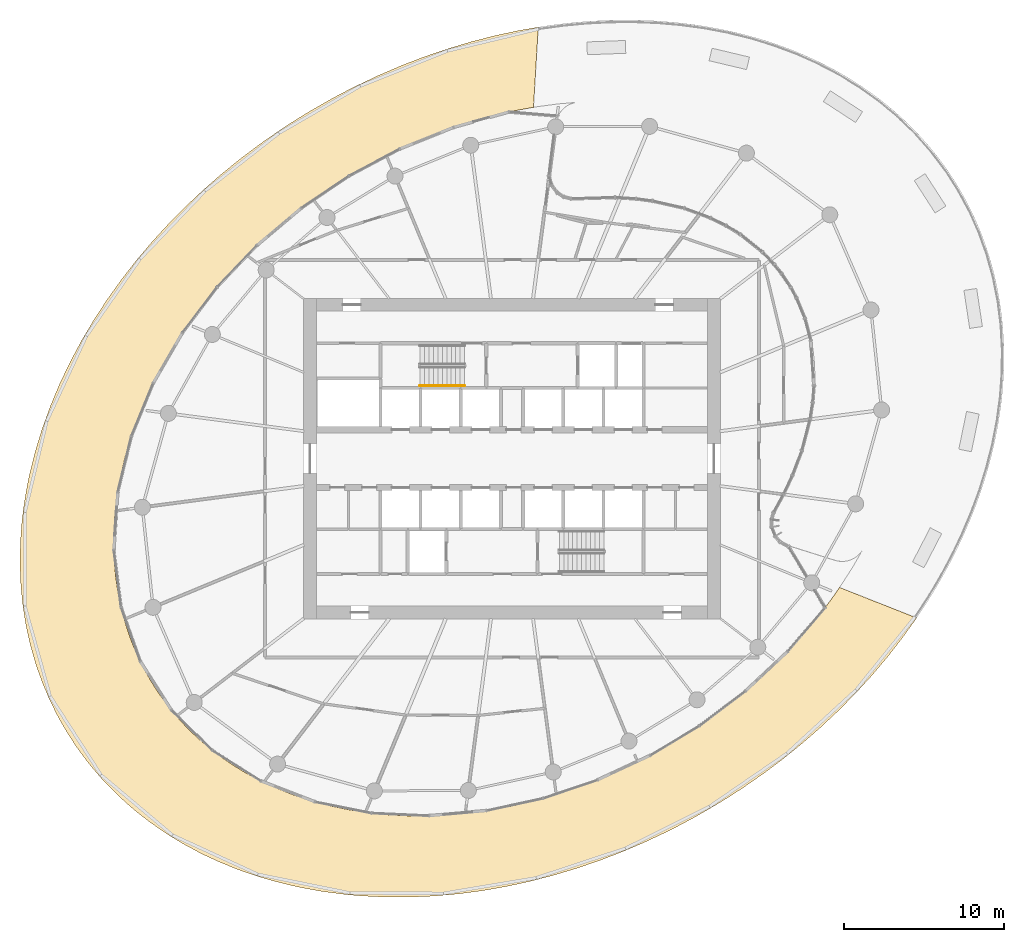
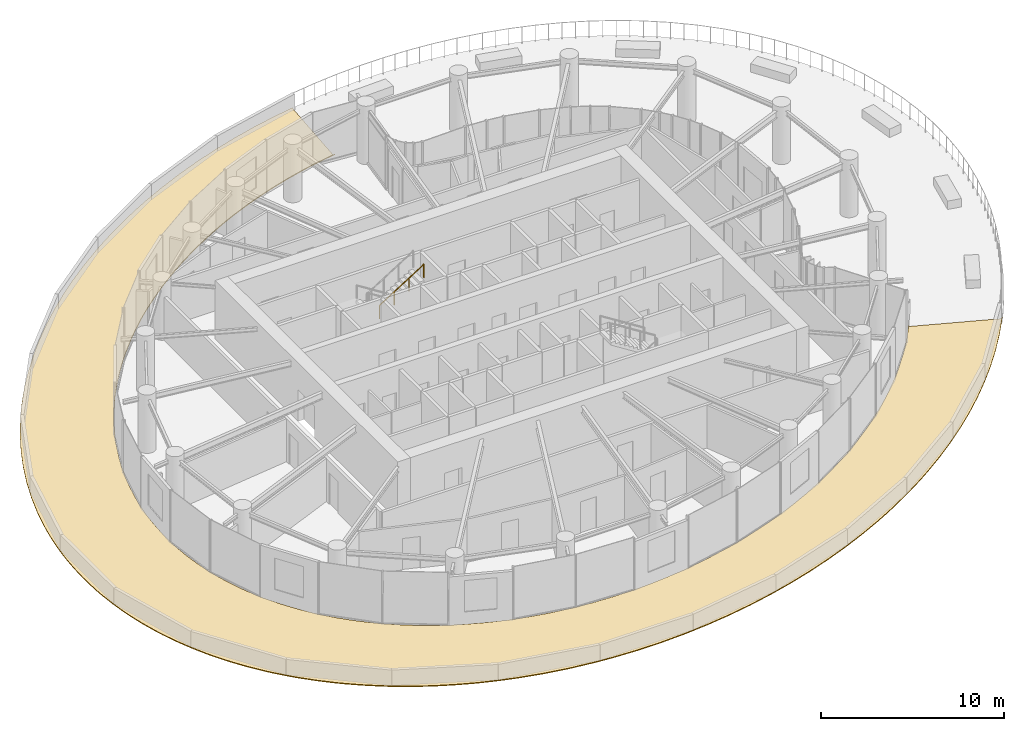
# One storey, part 18 of 21: 1 covering, 1 railing.
"""IFC4 building model written with IfcOpenShell, lengths in metres."""

from ifc_helpers import new_model, si_unit, direction, frame, origin, origin_2d, place, context, subcontext, project, spatial, line, indexed_curve, circle, outline, extrude, material, layer, layer_set, type_object, element, save


model = new_model("IFC4")

# Units and contexts
model_context = context("Model", 3, precision=1e-05, world=origin(), true_north=direction((0.0, 1.0)))
body_context = subcontext(model_context, "Body", "Model", "MODEL_VIEW")
ifc_project = project(units=[si_unit("LENGTHUNIT", "METRE"), si_unit("AREAUNIT", "SQUARE_METRE"), si_unit("VOLUMEUNIT", "CUBIC_METRE"), si_unit("PLANEANGLEUNIT", "RADIAN"), si_unit("MASSUNIT", "GRAM", prefix="KILO")], contexts=[model_context])

# Site, building, storey
site_placement = place(None, origin())
site = spatial("IfcSite", under=ifc_project, at=site_placement, CompositionType="ELEMENT")
building_placement = place(site_placement, origin())
building = spatial("IfcBuilding", under=site, at=building_placement, Name="Spindrift Exchange Tower", CompositionType="ELEMENT")
storey_placement = place(building_placement, frame((0.0, 0.0, 133.10009765625)))
storey = spatial("IfcBuildingStorey", under=building, at=storey_placement, Name="L31", CompositionType="ELEMENT", Elevation=133.10009765625)

# Covering
ifc_material_1 = material(Name="Bituminous roofing membrane with gravel ballast")
ifc_layer = layer(ifc_material_1, 0.06005859375)
ifc_layer_set = layer_set([ifc_layer], Name="LEDGE ROOFING 60")
covering_type = type_object("IfcCoveringType", Name="LEDGE ROOFING 60", PredefinedType="ROOFING", material=ifc_layer_set)
covering_placement = place(storey_placement, origin())
element("IfcCovering", 1, at=covering_placement, inside=storey, type_object=covering_type, Name="L31 Ledge Roofing 1", PredefinedType="ROOFING", context=body_context, shape_type="SweptSolid", body=[
    extrude(outline(indexed_curve([(77.2431640625, 38.0498046875), (76.3603515625, 36.8173828125), (75.427734375, 35.62109375), (74.4482421875, 34.4638671875), (73.4248046875, 33.345703125), (72.359375, 32.2666015625), (71.25390625, 31.228515625), (70.1103515625, 30.232421875), (68.931640625, 29.279296875), (67.71875, 28.3681640625), (66.474609375, 27.501953125), (65.6279296875, 26.94921875), (64.76953125, 26.41796875), (63.4560546875, 25.658203125), (62.56640625, 25.177734375), (61.666015625, 24.7197265625), (60.294921875, 24.0732421875), (58.9013671875, 23.4765625), (57.4853515625, 22.9326171875), (56.05078125, 22.44140625), (54.5986328125, 22.0048828125), (53.1318359375, 21.625), (51.6494140625, 21.302734375), (50.15625, 21.041015625), (48.6533203125, 20.8427734375), (47.1435546875, 20.7080078125), (45.6279296875, 20.640625), (44.1123046875, 20.6416015625), (42.5986328125, 20.7158203125), (41.5908203125, 20.8056640625), (40.087890625, 21.0048828125), (38.5986328125, 21.283203125), (37.1259765625, 21.642578125), (36.15625, 21.9296875), (35.1982421875, 22.2529296875), (34.7255859375, 22.4296875), (33.7880859375, 22.8125), (32.8701171875, 23.2333984375), (32.41796875, 23.458984375), (31.5283203125, 23.9404296875), (30.6630859375, 24.4599609375), (30.2392578125, 24.7353515625), (29.41015625, 25.31640625), (28.611328125, 25.9345703125), (28.2236328125, 26.2578125), (27.4716796875, 26.935546875), (26.755859375, 27.6474609375), (26.412109375, 28.017578125), (25.751953125, 28.7841796875), (25.4365234375, 29.1796875), (24.83984375, 29.994140625), (24.28515625, 30.83984375), (23.775390625, 31.712890625), (23.5380859375, 32.1591796875), (23.099609375, 33.068359375), (22.70703125, 34.0009765625), (22.3642578125, 34.9501953125), (22.2109375, 35.431640625), (21.939453125, 36.4072265625), (21.7177734375, 37.392578125), (21.625, 37.888671875), (21.474609375, 38.8896484375), (21.3720703125, 39.8935546875), (21.337890625, 40.3994140625), (21.3037109375, 41.4091796875), (21.3037109375, 41.9150390625), (21.3359375, 42.92578125), (21.41015625, 43.9326171875), (21.4638671875, 44.4345703125), (21.52734375, 44.9375), (21.6826171875, 45.9345703125), (21.8779296875, 46.927734375), (22.240234375, 48.400390625), (22.6806640625, 49.849609375), (23.197265625, 51.275390625), (23.783203125, 52.673828125), (24.4365234375, 54.0419921875), (25.15234375, 55.37890625), (25.9267578125, 56.681640625), (26.7568359375, 57.9501953125), (27.6396484375, 59.1826171875), (28.572265625, 60.37890625), (29.5517578125, 61.5361328125), (30.5751953125, 62.654296875), (31.640625, 63.7333984375), (32.74609375, 64.771484375), (33.8896484375, 65.767578125), (35.068359375, 66.720703125), (36.28125, 67.6318359375), (37.525390625, 68.498046875), (38.3720703125, 69.05078125), (39.23046875, 69.58203125), (40.5439453125, 70.341796875), (41.43359375, 70.822265625), (42.333984375, 71.2802734375), (43.705078125, 71.9267578125), (45.0986328125, 72.5234375), (46.5146484375, 73.0673828125), (47.94921875, 73.55859375), (49.4013671875, 73.9951171875), (50.869140625, 74.3759765625), (52.3505859375, 74.697265625), (53.666015625, 74.927734375), (53.6376953125, 74.8857421875), (53.34375, 69.9599609375), (53.3916015625, 69.9306640625), (53.482421875, 69.943359375), (52.0009765625, 69.673828125), (51.2001953125, 69.494140625), (50.0087890625, 69.185546875), (48.830078125, 68.8310546875), (47.666015625, 68.431640625), (46.8984375, 68.1416015625), (45.76171875, 67.6708984375), (45.0126953125, 67.3330078125), (43.9072265625, 66.7939453125), (43.1806640625, 66.412109375), (42.1083984375, 65.8076171875), (41.0595703125, 65.1650390625), (40.033203125, 64.484375), (39.0322265625, 63.767578125), (38.0576171875, 63.0166015625), (37.111328125, 62.2294921875), (36.49609375, 61.6865234375), (35.599609375, 60.8427734375), (35.01953125, 60.2626953125), (34.177734375, 59.365234375), (33.6357421875, 58.7490234375), (33.109375, 58.119140625), (32.3515625, 57.1494140625), (31.634765625, 56.1494140625), (31.1796875, 55.4658203125), (30.5341796875, 54.41796875), (30.1298828125, 53.7041015625), (29.5634765625, 52.6123046875), (29.212890625, 51.869140625), (28.7333984375, 50.736328125), (28.4453125, 49.9677734375), (28.0615234375, 48.798828125), (27.83984375, 48.0087890625), (27.5615234375, 46.8095703125), (27.4140625, 46.0029296875), (27.2978515625, 45.1904296875), (27.2138671875, 44.3740234375), (27.1513671875, 43.1455078125), (27.1533203125, 42.32421875), (27.1923828125, 41.5048828125), (27.267578125, 40.6884765625), (27.380859375, 39.875), (27.533203125, 39.068359375), (27.7236328125, 38.2705078125), (27.953125, 37.482421875), (28.22265625, 36.7080078125), (28.3720703125, 36.326171875), (28.69921875, 35.57421875), (29.0654296875, 34.83984375), (29.4697265625, 34.1259765625), (29.9111328125, 33.43359375), (30.3876953125, 32.765625), (30.8984375, 32.1240234375), (31.44140625, 31.5087890625), (32.015625, 30.9228515625), (32.619140625, 30.3671875), (33.2490234375, 29.841796875), (33.9052734375, 29.34765625), (34.5830078125, 28.8857421875), (35.2822265625, 28.4560546875), (36.0009765625, 28.05859375), (37.1083984375, 27.5244140625), (38.2490234375, 27.0615234375), (39.416015625, 26.6708984375), (40.603515625, 26.3486328125), (41.8076171875, 26.0947265625), (43.0244140625, 25.90625), (44.248046875, 25.78125), (45.4775390625, 25.7177734375), (46.708984375, 25.7138671875), (47.9375, 25.765625), (49.1640625, 25.873046875), (50.384765625, 26.033203125), (51.193359375, 26.1689453125), (51.9990234375, 26.326171875), (53.1982421875, 26.603515625), (53.9912109375, 26.814453125), (54.7783203125, 27.0458984375), (55.9482421875, 27.4306640625), (56.71875, 27.7109375), (57.482421875, 28.0107421875), (58.6142578125, 28.49609375), (59.7265625, 29.021484375), (60.8193359375, 29.587890625), (62.244140625, 30.40234375), (63.6279296875, 31.28515625), (64.63671875, 31.9892578125), (65.6201171875, 32.7294921875), (66.888671875, 33.7705078125), (67.50390625, 34.3134765625), (68.1044921875, 34.8720703125), (68.98046875, 35.7373046875), (69.5458984375, 36.33203125), (70.095703125, 36.94140625), (70.890625, 37.880859375), (71.3994140625, 38.5244140625), (71.8916015625, 39.1806640625), (72.5166015625, 40.078125), (72.46875, 40.0029296875), (72.4736328125, 39.947265625), (77.212890625, 38.0751953125), (77.259765625, 38.080078125), (77.4267578125, 38.3310546875)], segments=[line(1, 2, 3, 4, 5, 6, 7, 8, 9, 10, 11, 12, 13, 14, 15, 16, 17, 18, 19, 20, 21, 22, 23, 24, 25, 26, 27, 28, 29, 30, 31, 32, 33, 34, 35, 36, 37, 38, 39, 40, 41, 42, 43, 44, 45, 46, 47, 48, 49, 50, 51, 52, 53, 54, 55, 56, 57, 58, 59, 60, 61, 62, 63, 64, 65, 66, 67, 68, 69, 70, 71, 72, 73, 74, 75, 76, 77, 78, 79, 80, 81, 82, 83, 84, 85, 86, 87, 88, 89, 90, 91, 92, 93, 94, 95, 96, 97, 98, 99, 100, 101, 102, 103, 104, 105, 106, 107, 108, 109, 110, 111, 112, 113, 114, 115, 116, 117, 118, 119, 120, 121, 122, 123, 124, 125, 126, 127, 128, 129, 130, 131, 132, 133, 134, 135, 136, 137, 138, 139, 140, 141, 142, 143, 144, 145, 146, 147, 148, 149, 150, 151, 152, 153, 154, 155, 156, 157, 158, 159, 160, 161, 162, 163, 164, 165, 166, 167, 168, 169, 170, 171, 172, 173, 174, 175, 176, 177, 178, 179, 180, 181, 182, 183, 184, 185, 186, 187, 188, 189, 190, 191, 192, 193, 194, 195, 196, 197, 198, 199, 200, 201, 202, 203, 204, 205, 206, 207, 208, 209, 210, 1)], self_intersect=False)), origin(), (0.0, 0.0, 1.0), 0.059814453125),
])

# Railing
ifc_material_2 = material(Name="Steel tubular handrail", Category="steel")
railing_type = type_object("IfcRailingType", Name="RL-STAIR-HAND", PredefinedType="HANDRAIL", material=ifc_material_2)
railing_placement = place(storey_placement, frame((46.25, 52.550048828125, 2.127197265625)))
element("IfcRailing", 2, at=railing_placement, inside=storey, type_object=railing_type, Name="L31 ST1 stair handrail 2", PredefinedType="HANDRAIL", context=body_context, shape_type="SweptSolid", body=[
    extrude(circle(Radius=0.02392578125, at=origin_2d()), frame((0.0, 0.0, 0.8759765625), z_axis=(0.844908973607, 0.0, 0.534910110503), x_axis=(0.0, 1.0, 0.0)), (0.0, 0.0, 1.0), 3.31396484375),
    extrude(circle(Radius=0.02099609375, at=origin_2d()), origin(), (0.0, 0.0, 1.0), 0.851806640625),
    extrude(circle(Radius=0.02099609375, at=origin_2d()), frame((0.933349609375, 0.0, 0.5908203125)), (0.0, 0.0, 1.0), 0.851806640625),
    extrude(circle(Radius=0.02099609375, at=origin_2d()), frame((1.86669921875, 0.0, 1.181884765625)), (0.0, 0.0, 1.0), 0.851806640625),
    extrude(circle(Radius=0.02099609375, at=origin_2d()), frame((2.800048828125, 0.0, 1.772705078125)), (0.0, 0.0, 1.0), 0.851806640625),
])

save(model, "model.ifc")
